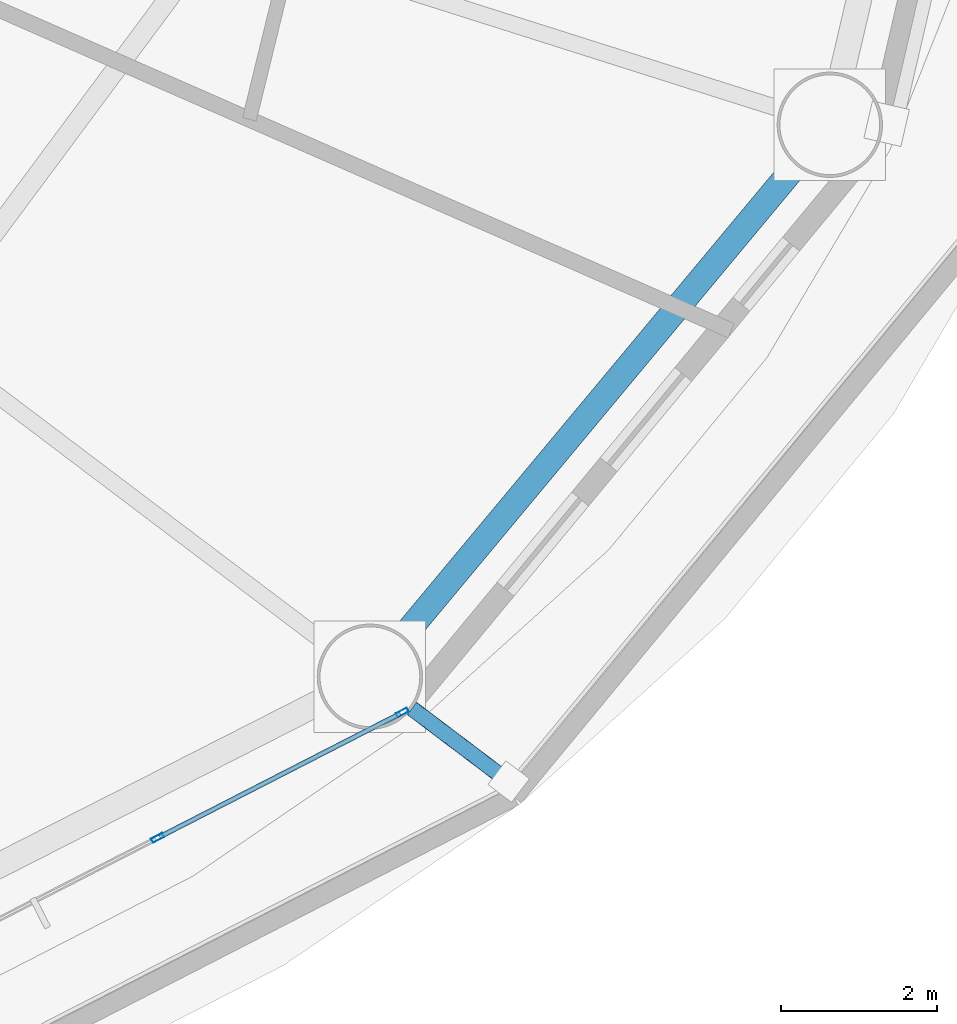
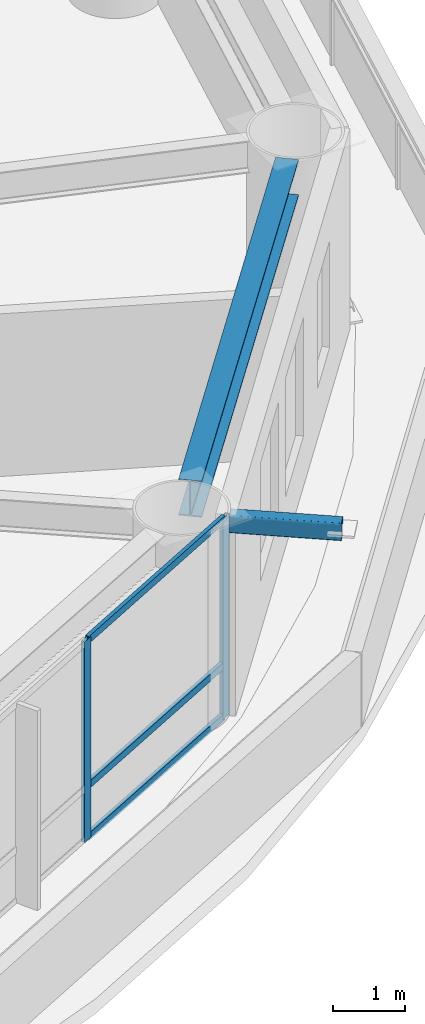
# One storey, part 6 of 25: 6 members, 1 beam, 1 element without a shape of its own.
"""IFC4 building model written with IfcOpenShell, lengths in metres."""

from ifc_helpers import new_model, si_unit, direction, frame, origin, origin_2d, place, context, subcontext, project, spatial, hollow_rectangle, i_section, extrude, material, layer, layer_set, material_profile, profile_set, type_object, element, aggregate, save


model = new_model("IFC4")

# Units and contexts
model_context = context("Model", 3, precision=1e-05, world=origin(), true_north=direction((0.0, 1.0)))
body_context = subcontext(model_context, "Body", "Model", "MODEL_VIEW")
ifc_project = project(units=[si_unit("LENGTHUNIT", "METRE"), si_unit("AREAUNIT", "SQUARE_METRE"), si_unit("VOLUMEUNIT", "CUBIC_METRE"), si_unit("PLANEANGLEUNIT", "RADIAN"), si_unit("MASSUNIT", "GRAM", prefix="KILO")], contexts=[model_context])

# Site, building, storey
site_placement = place(None, origin())
site = spatial("IfcSite", under=ifc_project, at=site_placement, CompositionType="ELEMENT")
building_placement = place(site_placement, origin())
building = spatial("IfcBuilding", under=site, at=building_placement, Name="Sarneth Arch Tower", CompositionType="ELEMENT")
storey_placement = place(building_placement, frame((0.0, 0.0, 84.0)))
storey = spatial("IfcBuildingStorey", under=building, at=storey_placement, Name="L20", CompositionType="ELEMENT", Elevation=84.0)

# Beam
ifc_material_1 = material(Name="Steel S355", Category="steel")
ifc_material_profile_1 = material_profile(ifc_material_1, i_section(OverallWidth=0.323974609375, OverallDepth=0.611083984375, WebThickness=0.0126953125, FlangeThickness=0.01904296875, FilletRadius=0.01904296875, at=origin_2d()), Name="W610x155")
ifc_profile_set_1 = profile_set([ifc_material_profile_1], Name="Steel S355")
beam_type = type_object("IfcBeamType", Name="BM-SPAN-610B", PredefinedType="SPANDREL", material=ifc_profile_set_1)
beam_placement = place(storey_placement, frame((68.829833984375, 27.103515625, 3.074462890625), z_axis=(0.640169116175, 0.768234015581, 0.0), x_axis=(-0.768234015581, 0.640169116175, 0.0)))
element("IfcBeam", 1, at=beam_placement, inside=storey, type_object=beam_type, Name="L20 Perimeter spandrel beam 15", PredefinedType="SPANDREL", context=body_context, shape_type="SweptSolid", body=[
    extrude(i_section(OverallWidth=0.323974609375, OverallDepth=0.611083984375, WebThickness=0.0126953125, FlangeThickness=0.01904296875, FilletRadius=0.01904296875, at=origin_2d()), origin(), (0.0, 0.0, 1.0), 7.856201171875),
])

# Curtain wall, members
ifc_material_2 = material(Name="Anodised aluminium Type AA25 and solar-control low-e laminated IGU", Category="aluminium")
ifc_layer = layer(ifc_material_2, 0.159912109375)
ifc_layer_set = layer_set([ifc_layer], Name="Anodised aluminium Type AA25 and solar-control low-e laminated IGU")
curtain_wall_type = type_object("IfcCurtainWallType", Name="CW-HOTEL-MID", PredefinedType="NOTDEFINED", material=ifc_layer_set)
curtain_wall_placement = place(storey_placement, origin())
curtain_wall = element("IfcCurtainWall", 2, at=curtain_wall_placement, inside=storey, type_object=curtain_wall_type, Name="L20 Unitised curtain wall facet 14", PredefinedType="NOTDEFINED")
ifc_material_3 = material(Name="Anodised Aluminium 6063-T6", Category="aluminium")
ifc_material_profile_2 = material_profile(ifc_material_3, hollow_rectangle(XDim=0.06005859375, YDim=0.159912109375, WallThickness=0.00390625, at=origin_2d()), Name="AL-MULL-160x60x4")
ifc_profile_set_2 = profile_set([ifc_material_profile_2], Name="Anodised Aluminium 6063-T6")
member_type_1 = type_object("IfcMemberType", Name="CW-MULLION", PredefinedType="MULLION", material=ifc_profile_set_2)
member_1_placement = place(storey_placement, frame((65.677001953125, 24.518798828125, 0.0), z_axis=(0.0, 0.0, 1.0), x_axis=(-0.456031365356, 0.889963703649, 0.0)))
member_1 = element("IfcMember", 3, at=member_1_placement, type_object=member_type_1, Name="CW-SYS-4 mullion 3", PredefinedType="MULLION", context=body_context, shape_type="SweptSolid", body=[
    extrude(hollow_rectangle(XDim=0.06005859375, YDim=0.159912109375, WallThickness=0.00390625, at=origin_2d()), origin(), (0.0, 0.0, 1.0), 3.3798828125),
])
member_2_placement = place(storey_placement, frame((68.813232421875, 26.1259765625, 0.0), z_axis=(0.0, 0.0, 1.0), x_axis=(-0.456031365356, 0.889963703649, 0.0)))
member_2 = element("IfcMember", 4, at=member_2_placement, type_object=member_type_1, Name="CW-SYS-4 mullion 4", PredefinedType="MULLION", context=body_context, shape_type="SweptSolid", body=[
    extrude(hollow_rectangle(XDim=0.06005859375, YDim=0.159912109375, WallThickness=0.00390625, at=origin_2d()), origin(), (0.0, 0.0, 1.0), 3.3798828125),
])
ifc_material_4 = material(Name="Anodised Aluminium 6063-T6", Category="aluminium")
ifc_material_profile_3 = material_profile(ifc_material_4, hollow_rectangle(XDim=0.06005859375, YDim=0.1201171875, WallThickness=0.00390625, at=origin_2d()), Name="AL-TRAN-120x60x4")
ifc_profile_set_3 = profile_set([ifc_material_profile_3], Name="Anodised Aluminium 6063-T6")
member_type_2 = type_object("IfcMemberType", Name="CW-TRANSOM", PredefinedType="USERDEFINED", material=ifc_profile_set_3)
member_3_placement = place(storey_placement, frame((65.703857421875, 24.532470703125, 0.030029296875), z_axis=(0.889942905184, 0.456071952122, 0.0), x_axis=(-0.456071952122, 0.889942905184, 0.0)))
member_3 = element("IfcMember", 5, at=member_3_placement, type_object=member_type_2, Name="CW-SYS-4 transom 3.1", ObjectType="TRANSOM", PredefinedType="USERDEFINED", context=body_context, shape_type="SweptSolid", body=[
    extrude(hollow_rectangle(XDim=0.06005859375, YDim=0.1201171875, WallThickness=0.00390625, at=origin_2d()), origin(), (0.0, 0.0, 1.0), 3.464111328125),
])
member_4_placement = place(storey_placement, frame((65.703857421875, 24.532470703125, 0.89990234375), z_axis=(0.889942905184, 0.456071952122, 0.0), x_axis=(-0.456071952122, 0.889942905184, 0.0)))
member_4 = element("IfcMember", 6, at=member_4_placement, type_object=member_type_2, Name="CW-SYS-4 transom 3.2", ObjectType="TRANSOM", PredefinedType="USERDEFINED", context=body_context, shape_type="SweptSolid", body=[
    extrude(hollow_rectangle(XDim=0.06005859375, YDim=0.1201171875, WallThickness=0.00390625, at=origin_2d()), origin(), (0.0, 0.0, 1.0), 3.464111328125),
])
member_5_placement = place(storey_placement, frame((65.703857421875, 24.532470703125, 3.35009765625), z_axis=(0.889942905184, 0.456071952122, 0.0), x_axis=(-0.456071952122, 0.889942905184, 0.0)))
member_5 = element("IfcMember", 7, at=member_5_placement, type_object=member_type_2, Name="CW-SYS-4 transom 3.3", ObjectType="TRANSOM", PredefinedType="USERDEFINED", context=body_context, shape_type="SweptSolid", body=[
    extrude(hollow_rectangle(XDim=0.06005859375, YDim=0.1201171875, WallThickness=0.00390625, at=origin_2d()), origin(), (0.0, 0.0, 1.0), 3.464111328125),
])
aggregate(curtain_wall, [member_1, member_2, member_3, member_4, member_5])

# Member
ifc_material_5 = material(Name="Steel S355", Category="steel")
ifc_material_profile_4 = material_profile(ifc_material_5, hollow_rectangle(XDim=0.199951171875, YDim=0.300048828125, WallThickness=0.012451171875, InnerFilletRadius=0.018798828125, OuterFilletRadius=0.03125, at=origin_2d()), Name="RHS300x200x12.5")
ifc_profile_set_4 = profile_set([ifc_material_profile_4], Name="Steel S355")
member_type_3 = type_object("IfcMemberType", Name="MEM-CANT-STRUT", PredefinedType="STRUT", material=ifc_profile_set_4)
member_6_placement = place(storey_placement, frame((68.936279296875, 26.177978515625, 3.219970703125), z_axis=(0.797827026596, -0.602886420176, 0.0), x_axis=(0.602886420176, 0.797827026596, 0.0)))
element("IfcMember", 8, at=member_6_placement, inside=storey, type_object=member_type_3, Name="L20 Balcony cantilever bracket 15", PredefinedType="STRUT", context=body_context, shape_type="SweptSolid", body=[
    extrude(hollow_rectangle(XDim=0.199951171875, YDim=0.300048828125, WallThickness=0.012451171875, InnerFilletRadius=0.018798828125, OuterFilletRadius=0.03125, at=origin_2d()), origin(), (0.0, 0.0, 1.0), 1.55419921875),
])

save(model, "model.ifc")
